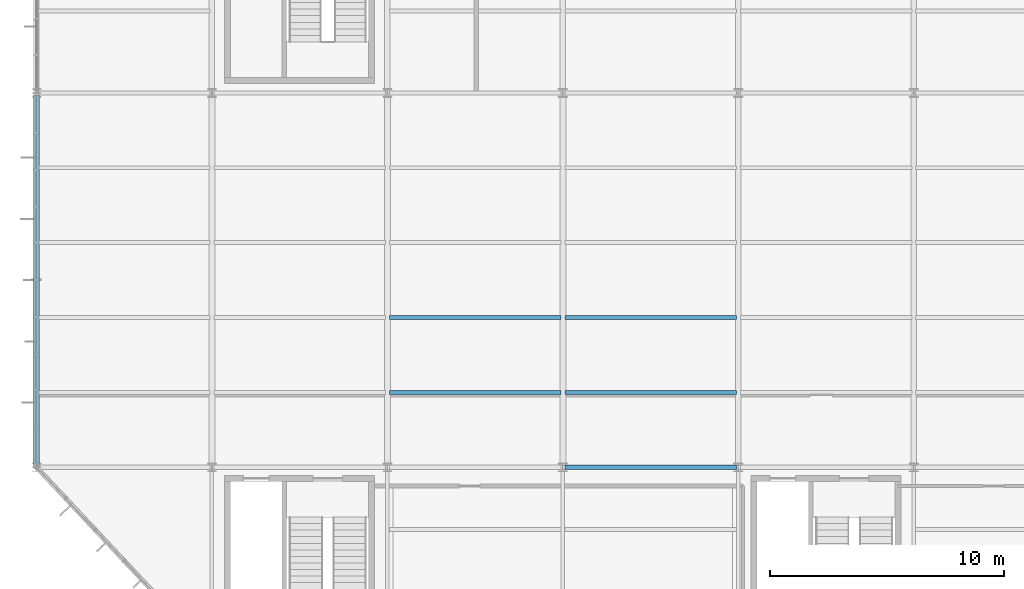
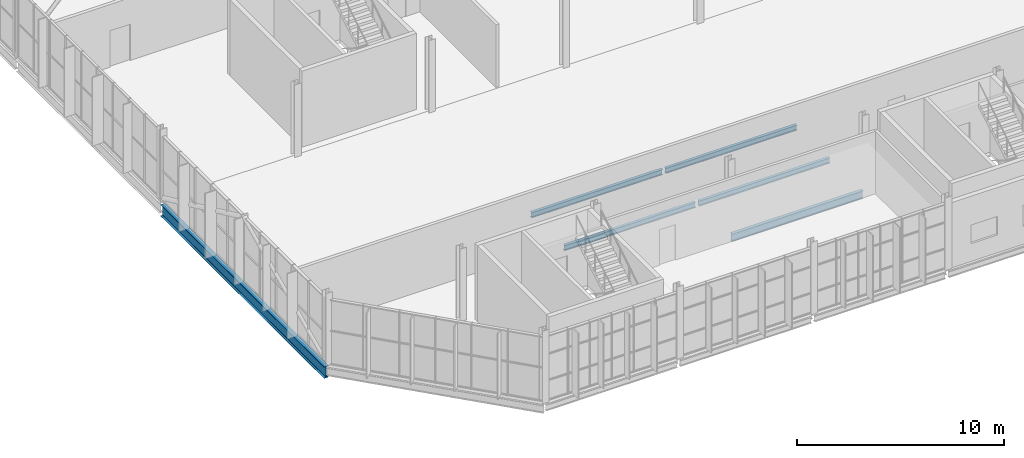
# One storey, part 21 of 324: 6 beams.
"""IFC4 building model written with IfcOpenShell, lengths in metres."""

from ifc_helpers import new_model, si_unit, direction, frame, origin, origin_2d, place, context, subcontext, project, spatial, i_section, extrude, material, material_profile, profile_set, type_object, element, save


model = new_model("IFC4")

# Units and contexts
model_context = context("Model", 3, precision=1e-05, world=origin(), true_north=direction((0.0, 1.0)))
body_context = subcontext(model_context, "Body", "Model", "MODEL_VIEW")
ifc_project = project(units=[si_unit("LENGTHUNIT", "METRE"), si_unit("AREAUNIT", "SQUARE_METRE"), si_unit("VOLUMEUNIT", "CUBIC_METRE"), si_unit("PLANEANGLEUNIT", "RADIAN"), si_unit("MASSUNIT", "GRAM", prefix="KILO")], contexts=[model_context])

# Site, building, storey
site_placement = place(None, origin())
site = spatial("IfcSite", under=ifc_project, at=site_placement, CompositionType="ELEMENT")
building_placement = place(site_placement, origin())
building = spatial("IfcBuilding", under=site, at=building_placement, Name="Solvenia Promenade Tram Depot", CompositionType="ELEMENT")
storey_placement = place(building_placement, frame((0.0, 0.0, 4.5)))
storey = spatial("IfcBuildingStorey", under=building, at=storey_placement, Name="L01", CompositionType="ELEMENT", Elevation=4.5)

# Beams
ifc_material = material(Name="Structural steel ASTM A992 Gr. 50", Category="steel")
ifc_material_profile_1 = material_profile(ifc_material, i_section(OverallWidth=0.19091796875, OverallDepth=0.4599609375, WebThickness=0.010009765625, FlangeThickness=0.01611328125, FilletRadius=0.012939453125, at=origin_2d()), Name="W460x82", Category="steel")
ifc_profile_set_1 = profile_set([ifc_material_profile_1], Name="Structural steel ASTM A992 Gr. 50")
beam_type_1 = type_object("IfcBeamType", Name="Beam-W460x82", PredefinedType="BEAM", material=ifc_profile_set_1)
beam_1_placement = place(storey_placement, frame((22.5849609375, 8.0, -0.449951171875), z_axis=(1.0, 0.0, 0.0), x_axis=(0.0, 1.0, 0.0)))
element("IfcBeam", 1, at=beam_1_placement, inside=storey, type_object=beam_type_1, Name="Primary Girder BM-L01-0315", PredefinedType="BEAM", context=body_context, shape_type="SweptSolid", body=[
    extrude(i_section(OverallWidth=0.19091796875, OverallDepth=0.4599609375, WebThickness=0.010009765625, FlangeThickness=0.01611328125, FilletRadius=0.012939453125, at=origin_2d()), origin(), (0.0, 0.0, 1.0), 7.330078125),
])
ifc_material_profile_2 = material_profile(ifc_material, i_section(OverallWidth=0.25390625, OverallDepth=0.68408203125, WebThickness=0.012451171875, FlangeThickness=0.018798828125, FilletRadius=0.01611328125, at=origin_2d()), Name="W690x140", Category="steel")
ifc_profile_set_2 = profile_set([ifc_material_profile_2], Name="Structural steel ASTM A992 Gr. 50")
beam_type_2 = type_object("IfcBeamType", Name="Gird-W690x140", PredefinedType="BEAM", material=ifc_profile_set_2)
beam_2_placement = place(storey_placement, frame((0.0, 8.0849609375, -0.56201171875), z_axis=(0.0, 1.0, 0.0), x_axis=(-1.0, 0.0, 0.0)))
element("IfcBeam", 2, at=beam_2_placement, inside=storey, type_object=beam_type_2, Name="Transverse Girder BM-L01-0330", PredefinedType="BEAM", context=body_context, shape_type="SweptSolid", body=[
    extrude(i_section(OverallWidth=0.25390625, OverallDepth=0.68408203125, WebThickness=0.012451171875, FlangeThickness=0.018798828125, FilletRadius=0.01611328125, at=origin_2d()), origin(), (0.0, 0.0, 1.0), 15.830078125),
])
ifc_material_profile_3 = material_profile(ifc_material, i_section(OverallWidth=0.166015625, OverallDepth=0.31298828125, WebThickness=0.006591796875, FlangeThickness=0.01123046875, FilletRadius=0.010009765625, at=origin_2d()), Name="W310x45", Category="steel")
ifc_profile_set_3 = profile_set([ifc_material_profile_3], Name="Structural steel ASTM A992 Gr. 50")
beam_type_3 = type_object("IfcBeamType", Name="Joist-W310x45", PredefinedType="JOIST", material=ifc_profile_set_3)
for number, where, z_axis, x_axis, name in (
    (3, (15.0849609375, 11.199951171875, -0.37646484375), (1.0, 0.0, 0.0), (0.0, 1.0, 0.0), "Secondary Floor Joist BM-L01-0366"),
    (4, (15.0849609375, 14.39990234375, -0.37646484375), (1.0, 0.0, 0.0), (0.0, 1.0, 0.0), "Secondary Floor Joist BM-L01-0367"),
    (5, (22.5849609375, 11.199951171875, -0.37646484375), (1.0, 0.0, 0.0), (0.0, 1.0, 0.0), "Secondary Floor Joist BM-L01-0372"),
    (6, (22.5849609375, 14.39990234375, -0.37646484375), (1.0, 0.0, 0.0), (0.0, 1.0, 0.0), "Secondary Floor Joist BM-L01-0373"),
):
    element("IfcBeam", number, at=place(storey_placement, frame(where, z_axis=z_axis, x_axis=x_axis)), inside=storey, type_object=beam_type_3, Name=name, PredefinedType="JOIST", context=body_context, shape_type="SweptSolid", body=[
        extrude(i_section(OverallWidth=0.166015625, OverallDepth=0.31298828125, WebThickness=0.006591796875, FlangeThickness=0.01123046875, FilletRadius=0.010009765625, at=origin_2d()), origin(), (0.0, 0.0, 1.0), 7.330078125),
    ])

save(model, "model.ifc")
